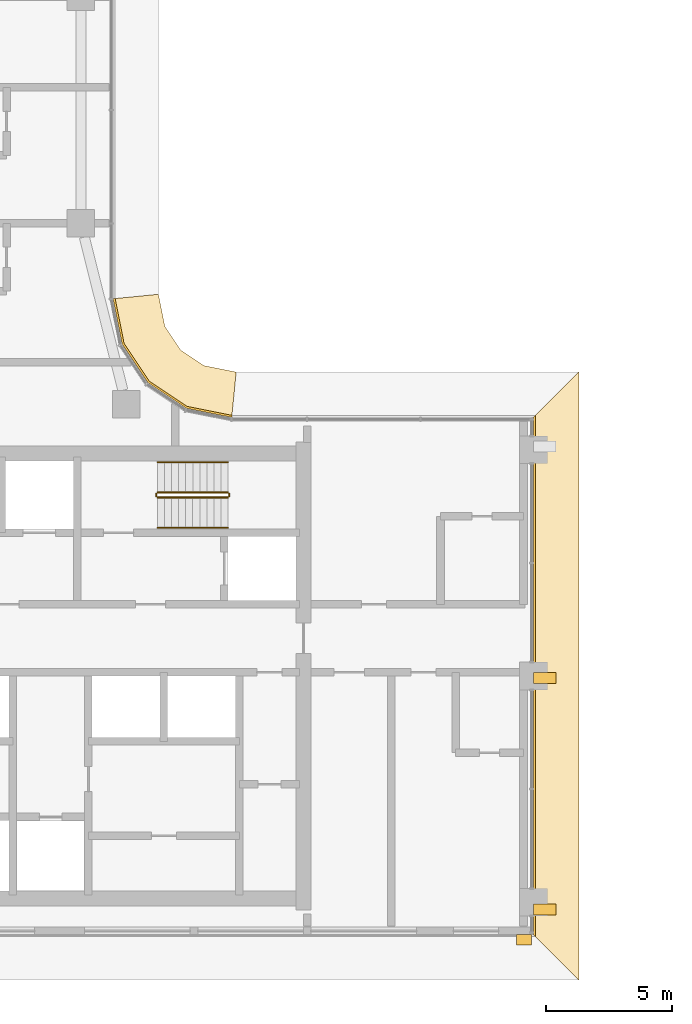
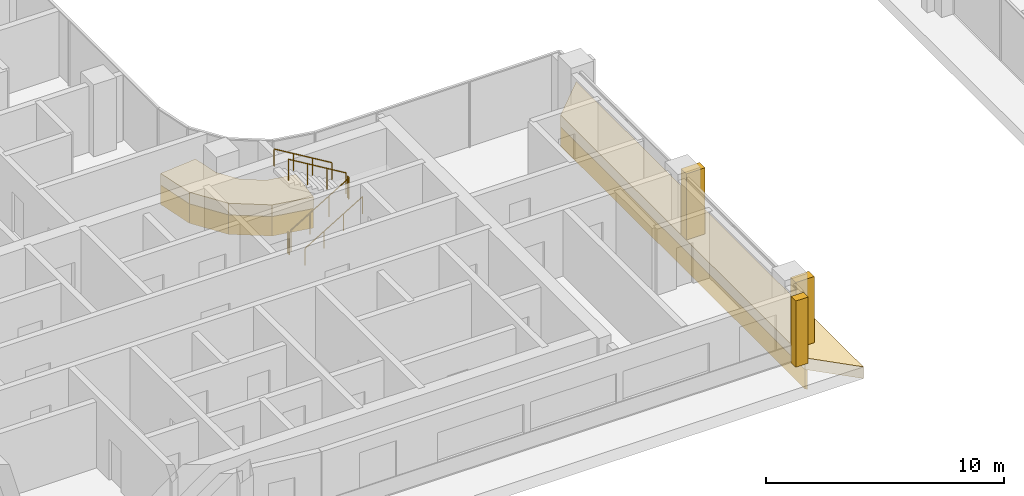
# One storey, part 21 of 27: 7 coverings, 6 railings.
"""IFC4 building model written with IfcOpenShell, lengths in metres."""

from ifc_helpers import new_model, si_unit, direction, frame, origin, origin_2d, place, context, subcontext, project, spatial, polyline, rectangle, circle, outline, extrude, material, layer, layer_set, type_object, element, save


model = new_model("IFC4")

# Units and contexts
model_context = context("Model", 3, precision=1e-05, world=origin(), true_north=direction((0.0, 1.0)))
body_context = subcontext(model_context, "Body", "Model", "MODEL_VIEW")
ifc_project = project(units=[si_unit("LENGTHUNIT", "METRE"), si_unit("AREAUNIT", "SQUARE_METRE"), si_unit("VOLUMEUNIT", "CUBIC_METRE"), si_unit("PLANEANGLEUNIT", "RADIAN"), si_unit("MASSUNIT", "GRAM", prefix="KILO")], contexts=[model_context])

# Site, building, storey
site_placement = place(None, origin())
site = spatial("IfcSite", under=ifc_project, at=site_placement, CompositionType="ELEMENT")
building_placement = place(site_placement, origin())
building = spatial("IfcBuilding", under=site, at=building_placement, Name="Ogive Portal Towers", CompositionType="ELEMENT")
storey_placement = place(building_placement, frame((0.0, 0.0, 160.699951171875)))
storey = spatial("IfcBuildingStorey", under=building, at=storey_placement, Name="L39", CompositionType="ELEMENT", Elevation=160.699951171875)

# Coverings
ifc_material_1 = material(Name="Limestone cladding on lightweight block wall", Category="masonry")
ifc_layer_1 = layer(ifc_material_1, 0.449951171875)
ifc_layer_set_1 = layer_set([ifc_layer_1], Name="BUTTRESS PIER STONE")
covering_type_1 = type_object("IfcCoveringType", Name="BUTTRESS PIER STONE", PredefinedType="CLADDING", material=ifc_layer_set_1)
for number, where, z_axis, x_axis, name in (
    (1, (67.949951171875, 30.419921875, 0.0), (0.0, 0.0, 1.0), (1.0, 0.0, 0.0), "Buttress pier A1-F06.1"),
    (2, (67.949951171875, 21.215087890625, 0.0), (0.0, 0.0, 1.0), (1.0, 0.0, 0.0), "Buttress pier A1-F06.2"),
):
    element("IfcCovering", number, at=place(storey_placement, frame(where, z_axis=z_axis, x_axis=x_axis)), inside=storey, type_object=covering_type_1, Name=name, PredefinedType="CLADDING", context=body_context, shape_type="SweptSolid", body=[
        extrude(rectangle(XDim=0.89990234375, YDim=0.449951171875, at=origin_2d()), origin(), (0.0, 0.0, 1.0), 3.39990234375),
    ])

# Railings
ifc_material_2 = material(Name="Stainless steel balustrade", Category="steel")
railing_type_1 = type_object("IfcRailingType", Name="INT-GUARD", PredefinedType="GUARDRAIL", material=ifc_material_2)
railing_1_placement = place(storey_placement, frame((52.550048828125, 37.60009765625, 0.168212890625)))
element("IfcRailing", 3, at=railing_1_placement, inside=storey, type_object=railing_type_1, Name="L39 ST-A2 stair guard 1", PredefinedType="GUARDRAIL", context=body_context, shape_type="SweptSolid", body=[
    extrude(circle(Radius=0.02392578125, at=origin_2d()), frame((0.0, 0.0, 1.076171875), z_axis=(0.857242210791, 0.0, 0.514913383045), x_axis=(0.0, 1.0, 0.0)), (0.0, 0.0, 1.0), 3.266357421875),
    extrude(circle(Radius=0.02099609375, at=origin_2d()), origin(), (0.0, 0.0, 1.0), 1.052001953125),
    extrude(circle(Radius=0.02099609375, at=origin_2d()), frame((0.933349609375, 0.0, 0.560546875)), (0.0, 0.0, 1.0), 1.052001953125),
    extrude(circle(Radius=0.02099609375, at=origin_2d()), frame((1.86669921875, 0.0, 1.121337890625)), (0.0, 0.0, 1.0), 1.052001953125),
    extrude(circle(Radius=0.02099609375, at=origin_2d()), frame((2.800048828125, 0.0, 1.681884765625)), (0.0, 0.0, 1.0), 1.052001953125),
])
railing_2_placement = place(storey_placement, frame((55.39990234375, 37.64990234375, 1.85009765625)))
element("IfcRailing", 4, at=railing_2_placement, inside=storey, type_object=railing_type_1, Name="L39 ST-A2 stair guard 2", PredefinedType="GUARDRAIL", context=body_context, shape_type="SweptSolid", body=[
    extrude(circle(Radius=0.02392578125, at=origin_2d()), frame((0.0, 0.0, 1.076171875), z_axis=(0.0, 1.0, 0.0), x_axis=(-1.0, 0.0, 0.0)), (0.0, 0.0, 1.0), 0.10009765625),
    extrude(circle(Radius=0.02099609375, at=origin_2d()), origin(), (0.0, 0.0, 1.0), 1.052001953125),
    extrude(circle(Radius=0.02099609375, at=origin_2d()), frame((0.0, 0.10009765625, 0.0)), (0.0, 0.0, 1.0), 1.052001953125),
])
railing_3_placement = place(storey_placement, frame((55.35009765625, 37.800048828125, 2.018310546875)))
element("IfcRailing", 5, at=railing_3_placement, inside=storey, type_object=railing_type_1, Name="L39 ST-A2 stair guard 3", PredefinedType="GUARDRAIL", context=body_context, shape_type="SweptSolid", body=[
    extrude(circle(Radius=0.02392578125, at=origin_2d()), frame((0.0, 0.0, 1.076171875), z_axis=(-0.857275202839, 0.0, 0.514858452973), x_axis=(0.0, -1.0, 0.0)), (0.0, 0.0, 1.0), 3.26611328125),
    extrude(circle(Radius=0.02099609375, at=origin_2d()), origin(), (0.0, 0.0, 1.0), 1.052001953125),
    extrude(circle(Radius=0.02099609375, at=origin_2d()), frame((-0.933349609375, 0.0, 0.560546875)), (0.0, 0.0, 1.0), 1.052001953125),
    extrude(circle(Radius=0.02099609375, at=origin_2d()), frame((-1.86669921875, 0.0, 1.12109375)), (0.0, 0.0, 1.0), 1.052001953125),
    extrude(circle(Radius=0.02099609375, at=origin_2d()), frame((-2.800048828125, 0.0, 1.681640625)), (0.0, 0.0, 1.0), 1.052001953125),
])
railing_4_placement = place(storey_placement, frame((52.5, 37.64990234375, 0.0)))
element("IfcRailing", 6, at=railing_4_placement, inside=storey, type_object=railing_type_1, Name="L39 ST-A2 stair guard 4", PredefinedType="GUARDRAIL", context=body_context, shape_type="SweptSolid", body=[
    extrude(circle(Radius=0.02392578125, at=origin_2d()), frame((0.0, 0.0, 1.076171875), z_axis=(0.0, 1.0, 0.0), x_axis=(-1.0, 0.0, 0.0)), (0.0, 0.0, 1.0), 0.10009765625),
    extrude(circle(Radius=0.02099609375, at=origin_2d()), origin(), (0.0, 0.0, 1.0), 1.052001953125),
    extrude(circle(Radius=0.02099609375, at=origin_2d()), frame((0.0, 0.10009765625, 0.0)), (0.0, 0.0, 1.0), 1.052001953125),
])
ifc_material_3 = material(Name="Stainless steel handrail", Category="steel")
railing_type_2 = type_object("IfcRailingType", Name="INT-HANDRAIL", PredefinedType="HANDRAIL", material=ifc_material_3)
railing_5_placement = place(storey_placement, frame((52.550048828125, 36.39990234375, 0.168212890625)))
element("IfcRailing", 7, at=railing_5_placement, inside=storey, type_object=railing_type_2, Name="L39 ST-A2 stair handrail 1", PredefinedType="HANDRAIL", context=body_context, shape_type="SweptSolid", body=[
    extrude(circle(Radius=0.02392578125, at=origin_2d()), frame((0.0, 0.0, 0.8759765625), z_axis=(0.857242210791, 0.0, 0.514913383045), x_axis=(0.0, 1.0, 0.0)), (0.0, 0.0, 1.0), 3.266357421875),
    extrude(circle(Radius=0.02099609375, at=origin_2d()), origin(), (0.0, 0.0, 1.0), 0.851806640625),
    extrude(circle(Radius=0.02099609375, at=origin_2d()), frame((0.933349609375, 0.0, 0.560546875)), (0.0, 0.0, 1.0), 0.851806640625),
    extrude(circle(Radius=0.02099609375, at=origin_2d()), frame((1.86669921875, 0.0, 1.121337890625)), (0.0, 0.0, 1.0), 0.851806640625),
    extrude(circle(Radius=0.02099609375, at=origin_2d()), frame((2.800048828125, 0.0, 1.681884765625)), (0.0, 0.0, 1.0), 0.851806640625),
])
railing_6_placement = place(storey_placement, frame((55.35009765625, 39.0, 2.018310546875)))
element("IfcRailing", 8, at=railing_6_placement, inside=storey, type_object=railing_type_2, Name="L39 ST-A2 stair handrail 2", PredefinedType="HANDRAIL", context=body_context, shape_type="SweptSolid", body=[
    extrude(circle(Radius=0.02392578125, at=origin_2d()), frame((0.0, 0.0, 0.8759765625), z_axis=(-0.857275202839, 0.0, 0.514858452973), x_axis=(0.0, -1.0, 0.0)), (0.0, 0.0, 1.0), 3.26611328125),
    extrude(circle(Radius=0.02099609375, at=origin_2d()), origin(), (0.0, 0.0, 1.0), 0.851806640625),
    extrude(circle(Radius=0.02099609375, at=origin_2d()), frame((-0.933349609375, 0.0, 0.560546875)), (0.0, 0.0, 1.0), 0.851806640625),
    extrude(circle(Radius=0.02099609375, at=origin_2d()), frame((-1.86669921875, 0.0, 1.12109375)), (0.0, 0.0, 1.0), 0.851806640625),
    extrude(circle(Radius=0.02099609375, at=origin_2d()), frame((-2.800048828125, 0.0, 1.681640625)), (0.0, 0.0, 1.0), 0.851806640625),
])

# Coverings
ifc_layer_2 = layer(ifc_material_1, 0.39990234375)
ifc_layer_set_2 = layer_set([ifc_layer_2], Name="PORTAL BUTTRESS STONE")
covering_type_2 = type_object("IfcCoveringType", Name="PORTAL BUTTRESS STONE", PredefinedType="CLADDING", material=ifc_layer_set_2)
covering_1_placement = place(storey_placement, frame((67.1201171875, 20.014892578125, 0.0), z_axis=(0.0, 0.0, 1.0), x_axis=(1.0, 0.0, 0.0)))
element("IfcCovering", 9, at=covering_1_placement, inside=storey, type_object=covering_type_2, Name="PORTAL BUTTRESS", PredefinedType="CLADDING", context=body_context, shape_type="SweptSolid", body=[
    extrude(rectangle(XDim=0.60009765625, YDim=0.39990234375, at=origin_2d()), origin(), (0.0, 0.0, 1.0), 3.39990234375),
])
ifc_layer_3 = layer(ifc_material_1, 0.080078125)
ifc_layer_set_3 = layer_set([ifc_layer_3], Name="STONE SPANDREL 80")
covering_type_3 = type_object("IfcCoveringType", Name="STONE SPANDREL 80", PredefinedType="CLADDING", material=ifc_layer_set_3)
covering_2_placement = place(storey_placement, frame((0.0, 0.0, -1.599853515625)))
element("IfcCovering", 10, at=covering_2_placement, inside=storey, type_object=covering_type_3, Name="Stone spandrel A1-F06", PredefinedType="CLADDING", context=body_context, shape_type="SweptSolid", body=[
    extrude(outline(polyline([(67.5, 20.215087890625), (67.5, 40.784912109375), (67.580078125, 40.864990234375), (67.580078125, 20.135009765625), (67.5, 20.215087890625)])), origin(), (0.0, 0.0, 1.0), 1.0),
])
covering_3_placement = place(storey_placement, frame((0.0, 0.0, -1.599853515625)))
element("IfcCovering", 11, at=covering_3_placement, inside=storey, type_object=covering_type_3, Name="Stone spandrel A1-F08", PredefinedType="CLADDING", context=body_context, shape_type="SweptSolid", body=[
    extrude(outline(polyline([(55.5, 40.784912109375), (53.695556640625, 41.143798828125), (52.166015625, 42.166015625), (51.143798828125, 43.695556640625), (50.784912109375, 45.5), (50.864990234375, 45.5078125), (51.21923828125, 43.726806640625), (52.2236328125, 42.2236328125), (53.726806640625, 41.21923828125), (55.5078125, 40.864990234375), (55.5, 40.784912109375)])), origin(), (0.0, 0.0, 1.0), 1.0),
])
ifc_layer_4 = layer(ifc_material_1, 0.60009765625)
ifc_layer_set_4 = layer_set([ifc_layer_4], Name="SUNSHADE LIP 600")
covering_type_4 = type_object("IfcCoveringType", Name="SUNSHADE LIP 600", PredefinedType="CLADDING", material=ifc_layer_set_4)
covering_4_placement = place(storey_placement, frame((0.0, 0.0, -0.599853515625)))
element("IfcCovering", 12, at=covering_4_placement, inside=storey, type_object=covering_type_4, Name="Sunshade lip A1-F06", PredefinedType="CLADDING", context=body_context, shape_type="SweptSolid", body=[
    extrude(outline(polyline([(67.5, 20.215087890625), (67.5, 40.784912109375), (69.300048828125, 42.5849609375), (69.300048828125, 18.4150390625), (67.5, 20.215087890625)])), origin(), (0.0, 0.0, 1.0), 0.599853515625),
])
covering_5_placement = place(storey_placement, frame((0.0, 0.0, -0.599853515625)))
element("IfcCovering", 13, at=covering_5_placement, inside=storey, type_object=covering_type_4, Name="Sunshade lip A1-F08", PredefinedType="CLADDING", context=body_context, shape_type="SweptSolid", body=[
    extrude(outline(polyline([(55.5, 40.784912109375), (53.695556640625, 41.143798828125), (52.166015625, 42.166015625), (51.143798828125, 43.695556640625), (50.784912109375, 45.5), (52.5849609375, 45.67724609375), (52.83935546875, 44.39794921875), (53.463623046875, 43.463623046875), (54.39794921875, 42.83935546875), (55.67724609375, 42.5849609375), (55.5, 40.784912109375)])), origin(), (0.0, 0.0, 1.0), 0.599853515625),
])

save(model, "model.ifc")
